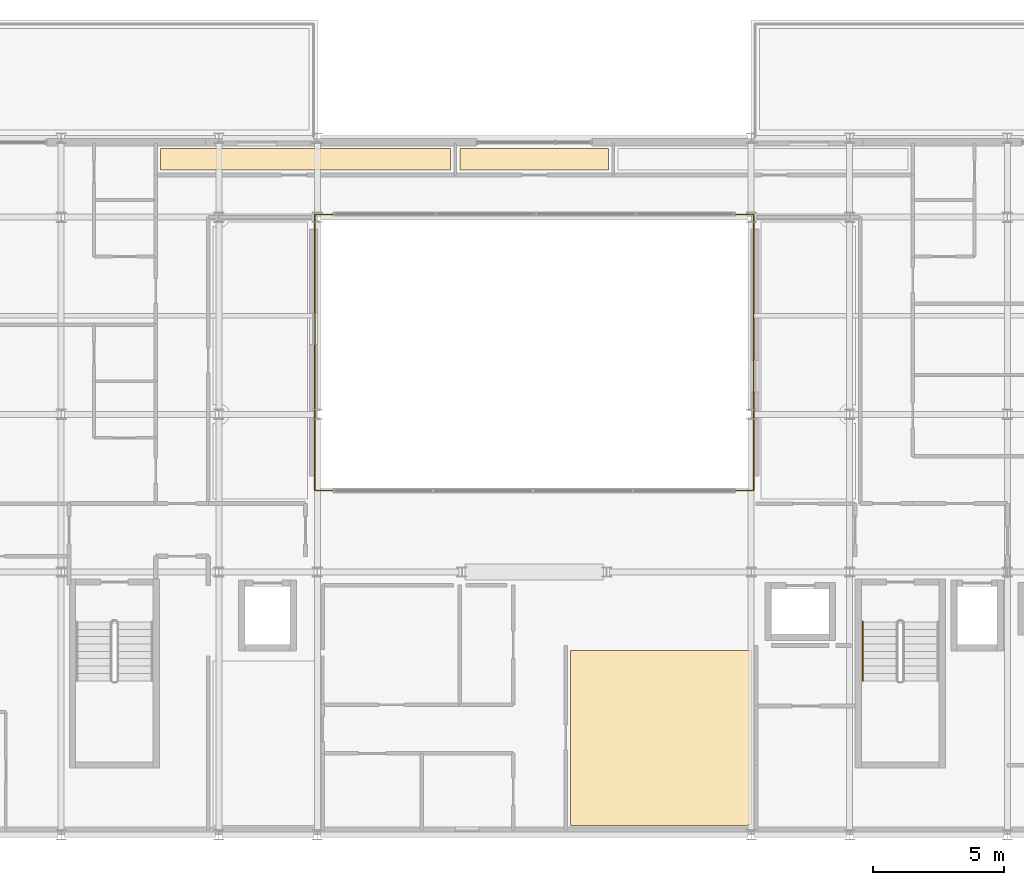
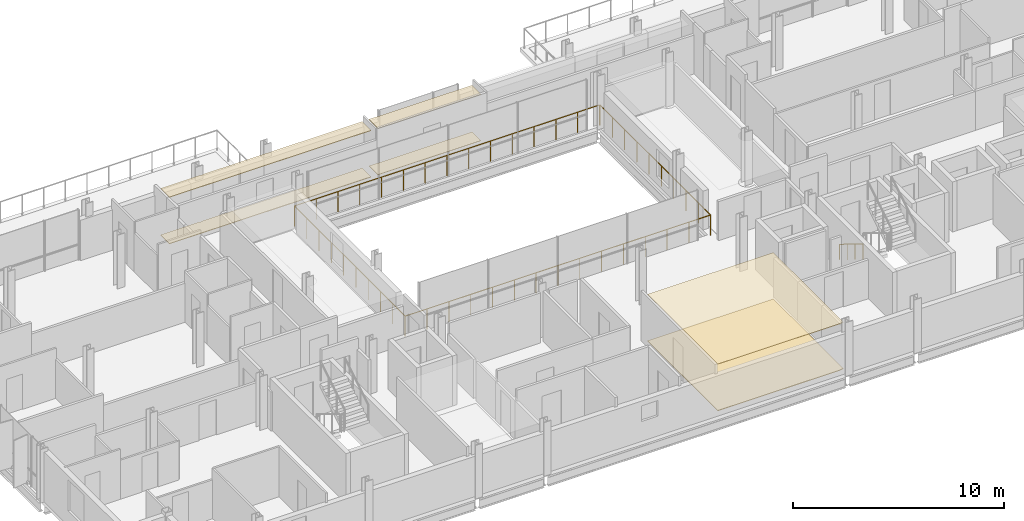
# One storey, part 36 of 38: 6 coverings, 3 railings.
"""IFC4 building model written with IfcOpenShell, lengths in metres."""

from ifc_helpers import new_model, si_unit, direction, frame, origin, origin_2d, place, context, subcontext, project, spatial, polyline, circle, outline, extrude, material, layer, layer_set, type_object, element, save


model = new_model("IFC4")

# Units and contexts
model_context = context("Model", 3, precision=1e-05, world=origin(), true_north=direction((0.0, 1.0)))
body_context = subcontext(model_context, "Body", "Model", "MODEL_VIEW")
ifc_project = project(units=[si_unit("LENGTHUNIT", "METRE"), si_unit("AREAUNIT", "SQUARE_METRE"), si_unit("VOLUMEUNIT", "CUBIC_METRE"), si_unit("PLANEANGLEUNIT", "RADIAN"), si_unit("MASSUNIT", "GRAM", prefix="KILO")], contexts=[model_context])

# Site, building, storey
site_placement = place(None, origin())
site = spatial("IfcSite", under=ifc_project, at=site_placement, CompositionType="ELEMENT")
building_placement = place(site_placement, origin())
building = spatial("IfcBuilding", under=site, at=building_placement, Name="Brevholm Reach", CompositionType="ELEMENT")
storey_placement = place(building_placement, frame((0.0, 0.0, 172.800048828125)))
storey = spatial("IfcBuildingStorey", under=building, at=storey_placement, Name="L52", CompositionType="ELEMENT", Elevation=172.800048828125)

# Coverings
ifc_material_1 = material(Name="Perforated Mineral-Fibre Class-A Acoustic Suspended Ceiling", Category="gypsum")
ifc_layer_1 = layer(ifc_material_1, 0.044921875)
ifc_layer_set_1 = layer_set([ifc_layer_1], Name="Perforated Mineral-Fibre Class-A Acoustic Suspended Ceiling")
covering_type_1 = type_object("IfcCoveringType", Name="COV-CLG-AC", PredefinedType="CEILING", material=ifc_layer_set_1)
covering_1_placement = place(storey_placement, frame((0.0, 0.0, 2.675048828125)))
element("IfcCovering", 1, at=covering_1_placement, inside=storey, type_object=covering_type_1, Name="L52 Suspended Ceiling L52-58", PredefinedType="CEILING", context=body_context, shape_type="SweptSolid", body=[
    extrude(outline(polyline([(32.820068359375, 26.1201171875), (32.820068359375, 25.283935546875), (27.18408203125, 25.283935546875), (27.18408203125, 26.1201171875), (32.820068359375, 26.1201171875)])), origin(), (0.0, 0.0, 1.0), 0.044921875),
])
ifc_material_2 = material(Name="Moisture-Resistant Skimmed Gypsum Plasterboard Ceiling", Category="gypsum")
ifc_layer_2 = layer(ifc_material_2, 0.030029296875)
ifc_layer_set_2 = layer_set([ifc_layer_2], Name="Moisture-Resistant Skimmed Gypsum Plasterboard Ceiling")
covering_type_2 = type_object("IfcCoveringType", Name="COV-CLG-GYP", PredefinedType="CEILING", material=ifc_layer_set_2)
covering_2_placement = place(storey_placement, frame((0.0, 0.0, 2.68994140625)))
element("IfcCovering", 2, at=covering_2_placement, inside=storey, type_object=covering_type_2, Name="L52 Suspended Ceiling L52-14", PredefinedType="CEILING", context=body_context, shape_type="SweptSolid", body=[
    extrude(outline(polyline([(38.27001953125, 7.02001953125), (38.27001953125, 0.39892578125), (38.25, 0.39990234375), (38.210693359375, 0.398193359375), (38.172119140625, 0.392333984375), (38.1337890625, 0.3828125), (38.096923828125, 0.36962890625), (38.07666015625, 0.360107421875), (31.384033203125, 0.360107421875), (31.384033203125, 7.02001953125), (38.27001953125, 7.02001953125)])), origin(), (0.0, 0.0, 1.0), 0.030029296875),
])
covering_3_placement = place(storey_placement, frame((0.0, 0.0, 2.68994140625)))
element("IfcCovering", 3, at=covering_3_placement, inside=storey, type_object=covering_type_2, Name="L52 Suspended Ceiling L52-57", PredefinedType="CEILING", context=body_context, shape_type="SweptSolid", body=[
    extrude(outline(polyline([(17.876220703125, 26.1201171875), (17.8837890625, 26.1171875), (17.922119140625, 26.107666015625), (17.960693359375, 26.101806640625), (18.0, 26.10009765625), (18.039306640625, 26.101806640625), (18.077880859375, 26.107666015625), (18.1162109375, 26.1171875), (18.123779296875, 26.1201171875), (21.626220703125, 26.1201171875), (21.6337890625, 26.1171875), (21.672119140625, 26.107666015625), (21.710693359375, 26.101806640625), (21.75, 26.10009765625), (21.789306640625, 26.101806640625), (21.827880859375, 26.107666015625), (21.8662109375, 26.1171875), (21.873779296875, 26.1201171875), (26.820068359375, 26.1201171875), (26.820068359375, 25.283935546875), (15.783935546875, 25.283935546875), (15.783935546875, 26.1201171875), (17.876220703125, 26.1201171875)])), origin(), (0.0, 0.0, 1.0), 0.030029296875),
])
ifc_material_3 = material(Name="Engineered European Oak Acoustic Plank Flooring", Category="timber")
ifc_layer_3 = layer(ifc_material_3, 0.02197265625)
ifc_layer_set_3 = layer_set([ifc_layer_3], Name="Engineered European Oak Acoustic Plank Flooring")
covering_type_3 = type_object("IfcCoveringType", Name="COV-FLR-OAK", PredefinedType="FLOORING", material=ifc_layer_set_3)
covering_4_placement = place(storey_placement, origin())
element("IfcCovering", 4, at=covering_4_placement, inside=storey, type_object=covering_type_3, Name="L52 Floor Finish L52-58", PredefinedType="FLOORING", context=body_context, shape_type="SweptSolid", body=[
    extrude(outline(polyline([(32.820068359375, 26.1201171875), (32.820068359375, 25.283935546875), (27.18408203125, 25.283935546875), (27.18408203125, 26.1201171875), (32.820068359375, 26.1201171875)])), origin(), (0.0, 0.0, 1.0), 0.02197265625),
])
ifc_material_4 = material(Name="Honed Portland-Aggregate Resin Terrazzo Flooring", Category="concrete")
ifc_layer_4 = layer(ifc_material_4, 0.031982421875)
ifc_layer_set_4 = layer_set([ifc_layer_4], Name="Honed Portland-Aggregate Resin Terrazzo Flooring")
covering_type_4 = type_object("IfcCoveringType", Name="COV-FLR-TRZ", PredefinedType="FLOORING", material=ifc_layer_set_4)
covering_5_placement = place(storey_placement, origin())
element("IfcCovering", 5, at=covering_5_placement, inside=storey, type_object=covering_type_4, Name="L52 Floor Finish L52-14", PredefinedType="FLOORING", context=body_context, shape_type="SweptSolid", body=[
    extrude(outline(polyline([(38.27001953125, 7.02001953125), (38.27001953125, 0.39892578125), (38.25, 0.39990234375), (38.210693359375, 0.398193359375), (38.172119140625, 0.392333984375), (38.1337890625, 0.3828125), (38.096923828125, 0.36962890625), (38.07666015625, 0.360107421875), (31.384033203125, 0.360107421875), (31.384033203125, 7.02001953125), (38.27001953125, 7.02001953125)])), origin(), (0.0, 0.0, 1.0), 0.031982421875),
])
covering_6_placement = place(storey_placement, origin())
element("IfcCovering", 6, at=covering_6_placement, inside=storey, type_object=covering_type_4, Name="L52 Floor Finish L52-57", PredefinedType="FLOORING", context=body_context, shape_type="SweptSolid", body=[
    extrude(outline(polyline([(17.876220703125, 26.1201171875), (17.8837890625, 26.1171875), (17.922119140625, 26.107666015625), (17.960693359375, 26.101806640625), (18.0, 26.10009765625), (18.039306640625, 26.101806640625), (18.077880859375, 26.107666015625), (18.1162109375, 26.1171875), (18.123779296875, 26.1201171875), (21.626220703125, 26.1201171875), (21.6337890625, 26.1171875), (21.672119140625, 26.107666015625), (21.710693359375, 26.101806640625), (21.75, 26.10009765625), (21.789306640625, 26.101806640625), (21.827880859375, 26.107666015625), (21.8662109375, 26.1171875), (21.873779296875, 26.1201171875), (26.820068359375, 26.1201171875), (26.820068359375, 25.283935546875), (15.783935546875, 25.283935546875), (15.783935546875, 26.1201171875), (17.876220703125, 26.1201171875)])), origin(), (0.0, 0.0, 1.0), 0.031982421875),
])

# Railings
ifc_material_5 = material(Name="Brushed Stainless Steel EN 1.4401 Continuous Handrail", Category="steel")
railing_type_1 = type_object("IfcRailingType", Name="RAL-HND-950", PredefinedType="HANDRAIL", material=ifc_material_5)
railing_1_placement = place(storey_placement, frame((42.5, 8.10009765625, 0.172119140625)))
element("IfcRailing", 7, at=railing_1_placement, inside=storey, type_object=railing_type_1, Name="L52 ST-2 stair handrail 1", PredefinedType="HANDRAIL", context=body_context, shape_type="SweptSolid", body=[
    extrude(circle(Radius=0.02392578125, at=origin_2d()), frame((0.0, 0.0, 0.8857421875), z_axis=(0.0, -0.851747552033, 0.523952390591), x_axis=(1.0, 0.0, 0.0)), (0.0, 0.0, 1.0), 2.6298828125),
    extrude(circle(Radius=0.02099609375, at=origin_2d()), origin(), (0.0, 0.0, 1.0), 0.86181640625),
    extrude(circle(Radius=0.02099609375, at=origin_2d()), frame((0.0, -0.74658203125, 0.459228515625)), (0.0, 0.0, 1.0), 0.86181640625),
    extrude(circle(Radius=0.02099609375, at=origin_2d()), frame((0.0, -1.493408203125, 0.918701171875)), (0.0, 0.0, 1.0), 0.86181640625),
    extrude(circle(Radius=0.02099609375, at=origin_2d()), frame((0.0, -2.239990234375, 1.3779296875)), (0.0, 0.0, 1.0), 0.86181640625),
])
ifc_material_6 = material(Name="Brushed Stainless Steel EN 1.4401 and Laminated Glass", Category="steel")
railing_type_2 = type_object("IfcRailingType", Name="RAL-TERR-1200", PredefinedType="BALUSTRADE", material=ifc_material_6)
railing_2_placement = place(storey_placement, frame((21.64990234375, 13.10009765625, 0.0)))
element("IfcRailing", 8, at=railing_2_placement, inside=storey, type_object=railing_type_2, Name="L52 Guard Balustrade RAL-L52-AT-VOID-SW", PredefinedType="BALUSTRADE", context=body_context, shape_type="SweptSolid", body=[
    extrude(circle(Radius=0.02392578125, at=origin_2d()), frame((0.0, 0.0, 1.17578125), z_axis=(1.0, 0.0, 0.0), x_axis=(0.0, 1.0, 0.0)), (0.0, 0.0, 1.0), 16.7001953125),
    extrude(circle(Radius=0.02392578125, at=origin_2d()), frame((16.7001953125, 0.0, 1.17578125), z_axis=(0.0, 1.0, 0.0), x_axis=(-1.0, 0.0, 0.0)), (0.0, 0.0, 1.0), 10.47998046875),
    extrude(circle(Radius=0.02099609375, at=origin_2d()), origin(), (0.0, 0.0, 1.0), 1.15185546875),
    extrude(circle(Radius=0.02099609375, at=origin_2d()), frame((1.19287109375, 0.0, 0.0)), (0.0, 0.0, 1.0), 1.15185546875),
    extrude(circle(Radius=0.02099609375, at=origin_2d()), frame((2.3857421875, 0.0, 0.0)), (0.0, 0.0, 1.0), 1.15185546875),
    extrude(circle(Radius=0.02099609375, at=origin_2d()), frame((3.57861328125, 0.0, 0.0)), (0.0, 0.0, 1.0), 1.15185546875),
    extrude(circle(Radius=0.02099609375, at=origin_2d()), frame((4.771484375, 0.0, 0.0)), (0.0, 0.0, 1.0), 1.15185546875),
    extrude(circle(Radius=0.02099609375, at=origin_2d()), frame((5.96435546875, 0.0, 0.0)), (0.0, 0.0, 1.0), 1.15185546875),
    extrude(circle(Radius=0.02099609375, at=origin_2d()), frame((7.1572265625, 0.0, 0.0)), (0.0, 0.0, 1.0), 1.15185546875),
    extrude(circle(Radius=0.02099609375, at=origin_2d()), frame((8.35009765625, 0.0, 0.0)), (0.0, 0.0, 1.0), 1.15185546875),
    extrude(circle(Radius=0.02099609375, at=origin_2d()), frame((9.54296875, 0.0, 0.0)), (0.0, 0.0, 1.0), 1.15185546875),
    extrude(circle(Radius=0.02099609375, at=origin_2d()), frame((10.73583984375, 0.0, 0.0)), (0.0, 0.0, 1.0), 1.15185546875),
    extrude(circle(Radius=0.02099609375, at=origin_2d()), frame((11.9287109375, 0.0, 0.0)), (0.0, 0.0, 1.0), 1.15185546875),
    extrude(circle(Radius=0.02099609375, at=origin_2d()), frame((13.12158203125, 0.0, 0.0)), (0.0, 0.0, 1.0), 1.15185546875),
    extrude(circle(Radius=0.02099609375, at=origin_2d()), frame((14.314453125, 0.0, 0.0)), (0.0, 0.0, 1.0), 1.15185546875),
    extrude(circle(Radius=0.02099609375, at=origin_2d()), frame((15.50732421875, 0.0, 0.0)), (0.0, 0.0, 1.0), 1.15185546875),
    extrude(circle(Radius=0.02099609375, at=origin_2d()), frame((16.7001953125, 0.0, 0.0)), (0.0, 0.0, 1.0), 1.15185546875),
    extrude(circle(Radius=0.02099609375, at=origin_2d()), frame((16.7001953125, 1.16455078125, 0.0)), (0.0, 0.0, 1.0), 1.15185546875),
    extrude(circle(Radius=0.02099609375, at=origin_2d()), frame((16.7001953125, 2.328857421875, 0.0)), (0.0, 0.0, 1.0), 1.15185546875),
    extrude(circle(Radius=0.02099609375, at=origin_2d()), frame((16.7001953125, 3.493408203125, 0.0)), (0.0, 0.0, 1.0), 1.15185546875),
    extrude(circle(Radius=0.02099609375, at=origin_2d()), frame((16.7001953125, 4.65771484375, 0.0)), (0.0, 0.0, 1.0), 1.15185546875),
    extrude(circle(Radius=0.02099609375, at=origin_2d()), frame((16.7001953125, 5.822265625, 0.0)), (0.0, 0.0, 1.0), 1.15185546875),
    extrude(circle(Radius=0.02099609375, at=origin_2d()), frame((16.7001953125, 6.986572265625, 0.0)), (0.0, 0.0, 1.0), 1.15185546875),
    extrude(circle(Radius=0.02099609375, at=origin_2d()), frame((16.7001953125, 8.151123046875, 0.0)), (0.0, 0.0, 1.0), 1.15185546875),
    extrude(circle(Radius=0.02099609375, at=origin_2d()), frame((16.7001953125, 9.3154296875, 0.0)), (0.0, 0.0, 1.0), 1.15185546875),
    extrude(circle(Radius=0.02099609375, at=origin_2d()), frame((16.7001953125, 10.47998046875, 0.0)), (0.0, 0.0, 1.0), 1.15185546875),
])
railing_3_placement = place(storey_placement, frame((38.330078125, 23.60009765625, 0.0)))
element("IfcRailing", 9, at=railing_3_placement, inside=storey, type_object=railing_type_2, Name="L52 Guard Balustrade RAL-L52-AT-VOID-NE", PredefinedType="BALUSTRADE", context=body_context, shape_type="SweptSolid", body=[
    extrude(circle(Radius=0.02392578125, at=origin_2d()), frame((0.0, 0.0, 1.17578125), z_axis=(-1.0, 0.0, 0.0), x_axis=(0.0, -1.0, 0.0)), (0.0, 0.0, 1.0), 16.68017578125),
    extrude(circle(Radius=0.02392578125, at=origin_2d()), frame((-16.68017578125, 0.0, 1.17578125), z_axis=(0.0, -1.0, 0.0), x_axis=(1.0, 0.0, 0.0)), (0.0, 0.0, 1.0), 10.47998046875),
    extrude(circle(Radius=0.02099609375, at=origin_2d()), origin(), (0.0, 0.0, 1.0), 1.15185546875),
    extrude(circle(Radius=0.02099609375, at=origin_2d()), frame((-1.19140625, 0.0, 0.0)), (0.0, 0.0, 1.0), 1.15185546875),
    extrude(circle(Radius=0.02099609375, at=origin_2d()), frame((-2.3828125, 0.0, 0.0)), (0.0, 0.0, 1.0), 1.15185546875),
    extrude(circle(Radius=0.02099609375, at=origin_2d()), frame((-3.57421875, 0.0, 0.0)), (0.0, 0.0, 1.0), 1.15185546875),
    extrude(circle(Radius=0.02099609375, at=origin_2d()), frame((-4.765869140625, 0.0, 0.0)), (0.0, 0.0, 1.0), 1.15185546875),
    extrude(circle(Radius=0.02099609375, at=origin_2d()), frame((-5.957275390625, 0.0, 0.0)), (0.0, 0.0, 1.0), 1.15185546875),
    extrude(circle(Radius=0.02099609375, at=origin_2d()), frame((-7.148681640625, 0.0, 0.0)), (0.0, 0.0, 1.0), 1.15185546875),
    extrude(circle(Radius=0.02099609375, at=origin_2d()), frame((-8.340087890625, 0.0, 0.0)), (0.0, 0.0, 1.0), 1.15185546875),
    extrude(circle(Radius=0.02099609375, at=origin_2d()), frame((-9.531494140625, 0.0, 0.0)), (0.0, 0.0, 1.0), 1.15185546875),
    extrude(circle(Radius=0.02099609375, at=origin_2d()), frame((-10.722900390625, 0.0, 0.0)), (0.0, 0.0, 1.0), 1.15185546875),
    extrude(circle(Radius=0.02099609375, at=origin_2d()), frame((-11.914306640625, 0.0, 0.0)), (0.0, 0.0, 1.0), 1.15185546875),
    extrude(circle(Radius=0.02099609375, at=origin_2d()), frame((-13.10595703125, 0.0, 0.0)), (0.0, 0.0, 1.0), 1.15185546875),
    extrude(circle(Radius=0.02099609375, at=origin_2d()), frame((-14.29736328125, 0.0, 0.0)), (0.0, 0.0, 1.0), 1.15185546875),
    extrude(circle(Radius=0.02099609375, at=origin_2d()), frame((-15.48876953125, 0.0, 0.0)), (0.0, 0.0, 1.0), 1.15185546875),
    extrude(circle(Radius=0.02099609375, at=origin_2d()), frame((-16.68017578125, 0.0, 0.0)), (0.0, 0.0, 1.0), 1.15185546875),
    extrude(circle(Radius=0.02099609375, at=origin_2d()), frame((-16.68017578125, -1.16455078125, 0.0)), (0.0, 0.0, 1.0), 1.15185546875),
    extrude(circle(Radius=0.02099609375, at=origin_2d()), frame((-16.68017578125, -2.328857421875, 0.0)), (0.0, 0.0, 1.0), 1.15185546875),
    extrude(circle(Radius=0.02099609375, at=origin_2d()), frame((-16.68017578125, -3.493408203125, 0.0)), (0.0, 0.0, 1.0), 1.15185546875),
    extrude(circle(Radius=0.02099609375, at=origin_2d()), frame((-16.68017578125, -4.65771484375, 0.0)), (0.0, 0.0, 1.0), 1.15185546875),
    extrude(circle(Radius=0.02099609375, at=origin_2d()), frame((-16.68017578125, -5.822265625, 0.0)), (0.0, 0.0, 1.0), 1.15185546875),
    extrude(circle(Radius=0.02099609375, at=origin_2d()), frame((-16.68017578125, -6.986572265625, 0.0)), (0.0, 0.0, 1.0), 1.15185546875),
    extrude(circle(Radius=0.02099609375, at=origin_2d()), frame((-16.68017578125, -8.151123046875, 0.0)), (0.0, 0.0, 1.0), 1.15185546875),
    extrude(circle(Radius=0.02099609375, at=origin_2d()), frame((-16.68017578125, -9.3154296875, 0.0)), (0.0, 0.0, 1.0), 1.15185546875),
    extrude(circle(Radius=0.02099609375, at=origin_2d()), frame((-16.68017578125, -10.47998046875, 0.0)), (0.0, 0.0, 1.0), 1.15185546875),
])

save(model, "model.ifc")
